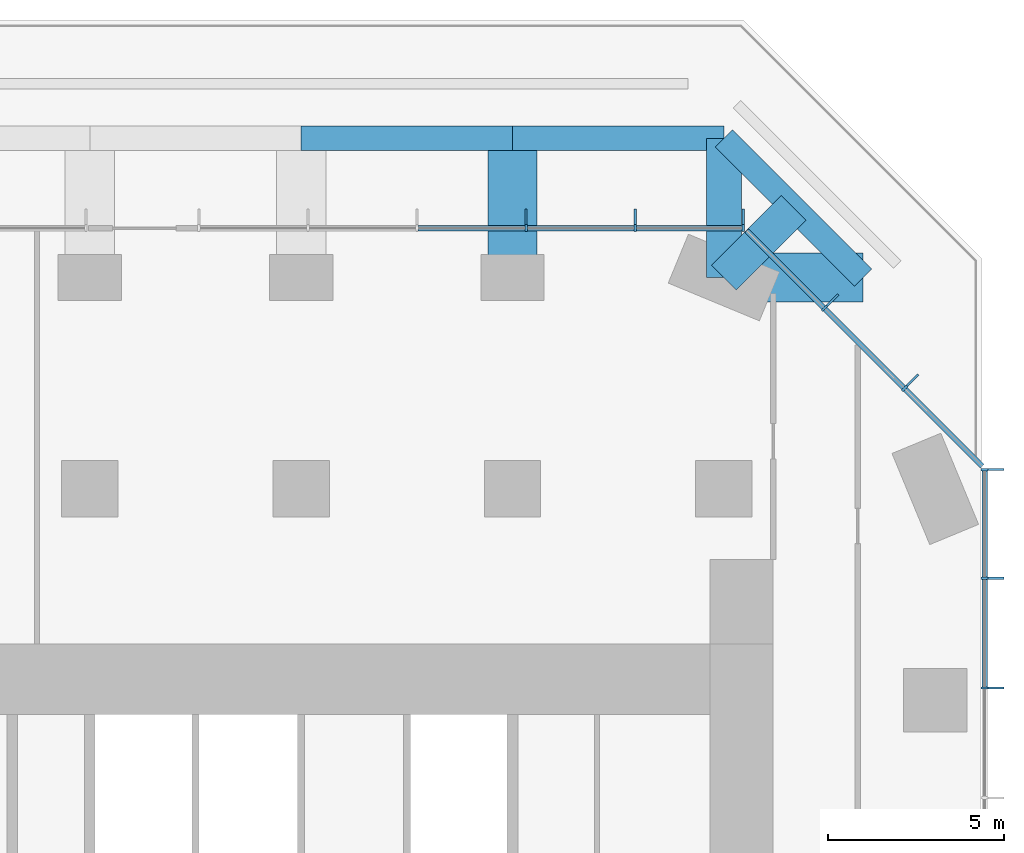
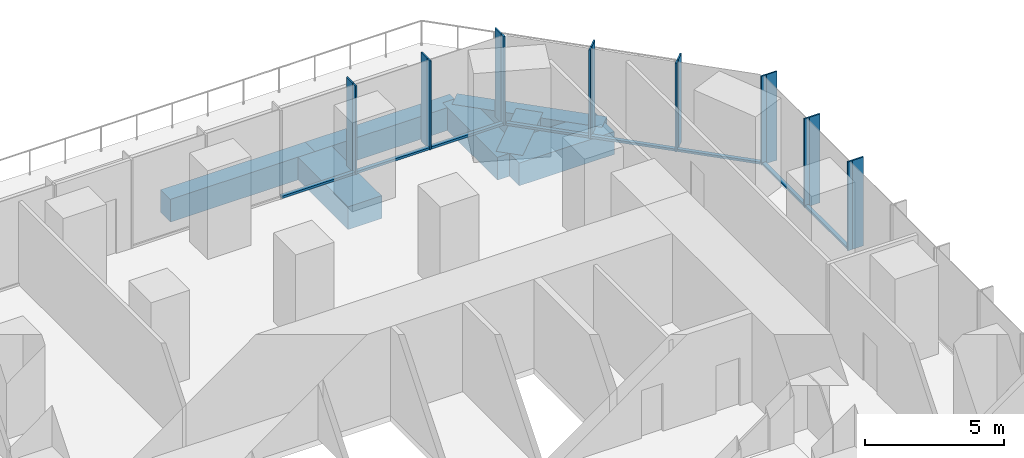
# One storey, part 6 of 11: 24 members, 7 beams, 3 elements without a shape of their own.
"""IFC4 building model written with IfcOpenShell, lengths in metres."""

from ifc_helpers import new_model, si_unit, direction, frame, origin, origin_2d, place, context, subcontext, project, spatial, rectangle, extrude, material, layer, layer_set, material_profile, profile_set, type_object, element, aggregate, save


model = new_model("IFC4")

# Units and contexts
model_context = context("Model", 3, precision=1e-05, world=origin(), true_north=direction((0.0, 1.0)))
body_context = subcontext(model_context, "Body", "Model", "MODEL_VIEW")
ifc_project = project(units=[si_unit("LENGTHUNIT", "METRE"), si_unit("AREAUNIT", "SQUARE_METRE"), si_unit("VOLUMEUNIT", "CUBIC_METRE"), si_unit("PLANEANGLEUNIT", "RADIAN"), si_unit("MASSUNIT", "GRAM", prefix="KILO")], contexts=[model_context])

# Site, building, storey
site_placement = place(None, origin())
site = spatial("IfcSite", under=ifc_project, at=site_placement, CompositionType="ELEMENT")
building_placement = place(site_placement, origin())
building = spatial("IfcBuilding", under=site, at=building_placement, Name="Highveld Stack Headquarters", CompositionType="ELEMENT")
storey_placement = place(building_placement, frame((0.0, 0.0, 117.199951171875)))
storey = spatial("IfcBuildingStorey", under=building, at=storey_placement, Name="L28", CompositionType="ELEMENT", Elevation=117.199951171875)

# Beams
ifc_material_1 = material(Name="Concrete C60/75", Category="concrete")
ifc_material_profile_1 = material_profile(ifc_material_1, rectangle(XDim=1.0, YDim=1.0, at=origin_2d()), Name="RC 1000x1000")
ifc_profile_set_1 = profile_set([ifc_material_profile_1], Name="Concrete C60/75")
beam_type_1 = type_object("IfcBeamType", Name="CANTILEVER RIB RC 1000x1000", PredefinedType="USERDEFINED", material=ifc_profile_set_1)
beam_1_placement = place(storey_placement, frame((18.0, 24.0, -0.75), z_axis=(0.0, 1.0, 0.0), x_axis=(-1.0, 0.0, 0.0)))
element("IfcBeam", 1, at=beam_1_placement, inside=storey, type_object=beam_type_1, Name="Cantilever rib 9/J L28", ObjectType="CANTILEVER RIB", PredefinedType="USERDEFINED", context=body_context, shape_type="SweptSolid", body=[
    extrude(rectangle(XDim=1.0, YDim=1.0, at=origin_2d()), origin(), (0.0, 0.0, 1.0), 3.949951171875),
])
beam_2_placement = place(storey_placement, frame((18.0, 24.0, -0.75), z_axis=(0.707106781187, 0.707106781187, 0.0), x_axis=(-0.707106781187, 0.707106781187, 0.0)))
element("IfcBeam", 2, at=beam_2_placement, inside=storey, type_object=beam_type_1, Name="Cantilever rib 9/J L28", ObjectType="CANTILEVER RIB", PredefinedType="USERDEFINED", context=body_context, shape_type="SweptSolid", body=[
    extrude(rectangle(XDim=1.0, YDim=1.0, at=origin_2d()), origin(), (0.0, 0.0, 1.0), 2.793212890625),
])
ifc_material_2 = material(Name="Concrete C60/75", Category="concrete")
ifc_material_profile_2 = material_profile(ifc_material_2, rectangle(XDim=1.39990234375, YDim=1.0, at=origin_2d()), Name="RC 1400x1000")
ifc_profile_set_2 = profile_set([ifc_material_profile_2], Name="Concrete C60/75")
beam_type_2 = type_object("IfcBeamType", Name="CANTILEVER RIB RC 1400x1000", PredefinedType="USERDEFINED", material=ifc_profile_set_2)
for number, where, z_axis, x_axis, name in (
    (3, (12.0, 24.0, -0.75), (0.0, 1.0, 0.0), (-1.0, 0.0, 0.0), "Cantilever rib 8/J L28"),
    (4, (18.0, 24.0, -0.75), (1.0, 0.0, 0.0), (0.0, 1.0, 0.0), "Cantilever rib 9/J L28"),
):
    element("IfcBeam", number, at=place(storey_placement, frame(where, z_axis=z_axis, x_axis=x_axis)), inside=storey, type_object=beam_type_2, Name=name, ObjectType="CANTILEVER RIB", PredefinedType="USERDEFINED", context=body_context, shape_type="SweptSolid", body=[
        extrude(rectangle(XDim=1.39990234375, YDim=1.0, at=origin_2d()), origin(), (0.0, 0.0, 1.0), 3.949951171875),
    ])

# Curtain wall, members
ifc_material_3 = material(Name="Aluminium bronze anodised", Category="aluminium")
ifc_layer_1 = layer(ifc_material_3, 0.199951171875)
ifc_layer_set_1 = layer_set([ifc_layer_1], Name="Aluminium bronze anodised")
curtain_wall_type_1 = type_object("IfcCurtainWallType", Name="CW1 TOWER UNITISED CURTAIN WALL", PredefinedType="NOTDEFINED", material=ifc_layer_set_1)
curtain_wall_1_placement = place(storey_placement, origin())
curtain_wall_1 = element("IfcCurtainWall", 5, at=curtain_wall_1_placement, inside=storey, type_object=curtain_wall_type_1, Name="Curtain wall CW1 L28 E", PredefinedType="NOTDEFINED")
ifc_material_4 = material(Name="Aluminium bronze anodised", Category="aluminium")
ifc_material_profile_3 = material_profile(ifc_material_4, rectangle(XDim=0.449951171875, YDim=0.06005859375, at=origin_2d()), Name="FIN 450x60")
ifc_profile_set_3 = profile_set([ifc_material_profile_3], Name="Aluminium bronze anodised")
member_type_1 = type_object("IfcMemberType", Name="CW1 BRONZE FIN 450x60", PredefinedType="USERDEFINED", material=ifc_profile_set_3)
member_1_placement = place(storey_placement, frame((25.72509765625, 12.347900390625, 0.0), z_axis=(0.0, 0.0, 1.0), x_axis=(-1.0, 0.0, 0.0)))
member_1 = element("IfcMember", 6, at=member_1_placement, type_object=member_type_1, Name="CW1 fin L28 9", ObjectType="FIN", PredefinedType="USERDEFINED", context=body_context, shape_type="SweptSolid", body=[
    extrude(rectangle(XDim=0.449951171875, YDim=0.06005859375, at=origin_2d()), origin(), (0.0, 0.0, 1.0), 3.900146484375),
])
member_2_placement = place(storey_placement, frame((25.72509765625, 15.4638671875, 0.0), z_axis=(0.0, 0.0, 1.0), x_axis=(-1.0, 0.0, 0.0)))
member_2 = element("IfcMember", 7, at=member_2_placement, type_object=member_type_1, Name="CW1 fin L28 10", ObjectType="FIN", PredefinedType="USERDEFINED", context=body_context, shape_type="SweptSolid", body=[
    extrude(rectangle(XDim=0.449951171875, YDim=0.06005859375, at=origin_2d()), origin(), (0.0, 0.0, 1.0), 3.900146484375),
])
member_3_placement = place(storey_placement, frame((25.72509765625, 18.54736328125, 0.0), z_axis=(0.0, 0.0, 1.0), x_axis=(-1.0, 0.0, 0.0)))
member_3 = element("IfcMember", 8, at=member_3_placement, type_object=member_type_1, Name="CW1 fin L28 11", ObjectType="FIN", PredefinedType="USERDEFINED", context=body_context, shape_type="SweptSolid", body=[
    extrude(rectangle(XDim=0.449951171875, YDim=0.06005859375, at=origin_2d()), origin(), (0.0, 0.0, 1.0), 3.900146484375),
])

curtain_wall_2_placement = place(storey_placement, origin())
curtain_wall_2 = element("IfcCurtainWall", 9, at=curtain_wall_2_placement, inside=storey, type_object=curtain_wall_type_1, Name="Curtain wall CW1 L28 N-1", PredefinedType="NOTDEFINED")
member_4_placement = place(storey_placement, frame((18.54736328125, 25.72509765625, 0.0), z_axis=(0.0, 0.0, 1.0), x_axis=(0.0, -1.0, 0.0)))
member_4 = element("IfcMember", 10, at=member_4_placement, type_object=member_type_1, Name="CW1 fin L28 1", ObjectType="FIN", PredefinedType="USERDEFINED", context=body_context, shape_type="SweptSolid", body=[
    extrude(rectangle(XDim=0.449951171875, YDim=0.06005859375, at=origin_2d()), origin(), (0.0, 0.0, 1.0), 3.900146484375),
])
member_5_placement = place(storey_placement, frame((15.483154296875, 25.72509765625, 0.0), z_axis=(0.0, 0.0, 1.0), x_axis=(0.0, -1.0, 0.0)))
member_5 = element("IfcMember", 11, at=member_5_placement, type_object=member_type_1, Name="CW1 fin L28 2", ObjectType="FIN", PredefinedType="USERDEFINED", context=body_context, shape_type="SweptSolid", body=[
    extrude(rectangle(XDim=0.449951171875, YDim=0.06005859375, at=origin_2d()), origin(), (0.0, 0.0, 1.0), 3.900146484375),
])
member_6_placement = place(storey_placement, frame((12.38671875, 25.72509765625, 0.0), z_axis=(0.0, 0.0, 1.0), x_axis=(0.0, -1.0, 0.0)))
member_6 = element("IfcMember", 12, at=member_6_placement, type_object=member_type_1, Name="CW1 fin L28 3", ObjectType="FIN", PredefinedType="USERDEFINED", context=body_context, shape_type="SweptSolid", body=[
    extrude(rectangle(XDim=0.449951171875, YDim=0.06005859375, at=origin_2d()), origin(), (0.0, 0.0, 1.0), 3.900146484375),
])

# Member
ifc_material_5 = material(Name="Aluminium bronze anodised", Category="aluminium")
ifc_material_profile_4 = material_profile(ifc_material_5, rectangle(XDim=0.199951171875, YDim=0.06494140625, at=origin_2d()), Name="CW1 MULLION 65x200")
ifc_profile_set_4 = profile_set([ifc_material_profile_4], Name="Aluminium bronze anodised")
member_type_2 = type_object("IfcMemberType", Name="CW1 MULLION 65x200", PredefinedType="MULLION", material=ifc_profile_set_4)
member_7_placement = place(storey_placement, frame((25.39990234375, 12.347900390625, 0.0), z_axis=(0.0, 0.0, 1.0), x_axis=(-1.0, 0.0, 0.0)))
member_7 = element("IfcMember", 13, at=member_7_placement, type_object=member_type_2, Name="CW1 mullion L28 9", PredefinedType="MULLION", context=body_context, shape_type="SweptSolid", body=[
    extrude(rectangle(XDim=0.199951171875, YDim=0.06494140625, at=origin_2d()), origin(), (0.0, 0.0, 1.0), 3.900146484375),
])

member_8_placement = place(storey_placement, frame((25.39990234375, 15.4638671875, 0.0), z_axis=(0.0, 0.0, 1.0), x_axis=(-1.0, 0.0, 0.0)))
member_8 = element("IfcMember", 14, at=member_8_placement, type_object=member_type_2, Name="CW1 mullion L28 10", PredefinedType="MULLION", context=body_context, shape_type="SweptSolid", body=[
    extrude(rectangle(XDim=0.199951171875, YDim=0.06494140625, at=origin_2d()), origin(), (0.0, 0.0, 1.0), 3.900146484375),
])

member_9_placement = place(storey_placement, frame((25.39990234375, 18.54736328125, 0.0), z_axis=(0.0, 0.0, 1.0), x_axis=(-1.0, 0.0, 0.0)))
member_9 = element("IfcMember", 15, at=member_9_placement, type_object=member_type_2, Name="CW1 mullion L28 11", PredefinedType="MULLION", context=body_context, shape_type="SweptSolid", body=[
    extrude(rectangle(XDim=0.199951171875, YDim=0.06494140625, at=origin_2d()), origin(), (0.0, 0.0, 1.0), 3.900146484375),
])

member_10_placement = place(storey_placement, frame((18.54736328125, 25.39990234375, 0.0), z_axis=(0.0, 0.0, 1.0), x_axis=(0.0, -1.0, 0.0)))
member_10 = element("IfcMember", 16, at=member_10_placement, type_object=member_type_2, Name="CW1 mullion L28 1", PredefinedType="MULLION", context=body_context, shape_type="SweptSolid", body=[
    extrude(rectangle(XDim=0.199951171875, YDim=0.06494140625, at=origin_2d()), origin(), (0.0, 0.0, 1.0), 3.900146484375),
])

member_11_placement = place(storey_placement, frame((15.483154296875, 25.39990234375, 0.0), z_axis=(0.0, 0.0, 1.0), x_axis=(0.0, -1.0, 0.0)))
member_11 = element("IfcMember", 17, at=member_11_placement, type_object=member_type_2, Name="CW1 mullion L28 2", PredefinedType="MULLION", context=body_context, shape_type="SweptSolid", body=[
    extrude(rectangle(XDim=0.199951171875, YDim=0.06494140625, at=origin_2d()), origin(), (0.0, 0.0, 1.0), 3.900146484375),
])

member_12_placement = place(storey_placement, frame((12.38671875, 25.39990234375, 0.0), z_axis=(0.0, 0.0, 1.0), x_axis=(0.0, -1.0, 0.0)))
member_12 = element("IfcMember", 18, at=member_12_placement, type_object=member_type_2, Name="CW1 mullion L28 3", PredefinedType="MULLION", context=body_context, shape_type="SweptSolid", body=[
    extrude(rectangle(XDim=0.199951171875, YDim=0.06494140625, at=origin_2d()), origin(), (0.0, 0.0, 1.0), 3.900146484375),
])

ifc_material_6 = material(Name="Aluminium bronze anodised", Category="aluminium")
ifc_material_profile_5 = material_profile(ifc_material_6, rectangle(XDim=0.14990234375, YDim=0.10009765625, at=origin_2d()), Name="CW1 TRANSOM 150x100")
ifc_profile_set_5 = profile_set([ifc_material_profile_5], Name="Aluminium bronze anodised")
member_type_3 = type_object("IfcMemberType", Name="CW1 STACK TRANSOM 150x100", PredefinedType="USERDEFINED", material=ifc_profile_set_5)
member_13_placement = place(storey_placement, frame((25.39990234375, 12.38037109375, 0.050048828125), z_axis=(0.0, 1.0, 0.0), x_axis=(-1.0, 0.0, 0.0)))
member_13 = element("IfcMember", 19, at=member_13_placement, type_object=member_type_3, Name="CW1 transom L28 9.1", ObjectType="TRANSOM", PredefinedType="USERDEFINED", context=body_context, shape_type="SweptSolid", body=[
    extrude(rectangle(XDim=0.14990234375, YDim=0.10009765625, at=origin_2d()), origin(), (0.0, 0.0, 1.0), 3.051025390625),
])

member_14_placement = place(storey_placement, frame((25.39990234375, 15.496337890625, 0.050048828125), z_axis=(0.0, 1.0, 0.0), x_axis=(-1.0, 0.0, 0.0)))
member_14 = element("IfcMember", 20, at=member_14_placement, type_object=member_type_3, Name="CW1 transom L28 10.1", ObjectType="TRANSOM", PredefinedType="USERDEFINED", context=body_context, shape_type="SweptSolid", body=[
    extrude(rectangle(XDim=0.14990234375, YDim=0.10009765625, at=origin_2d()), origin(), (0.0, 0.0, 1.0), 3.0185546875),
])

aggregate(curtain_wall_1, [member_7, member_1, member_8, member_2, member_9, member_3, member_13, member_14])

member_15_placement = place(storey_placement, frame((18.514892578125, 25.39990234375, 0.050048828125), z_axis=(-1.0, 0.0, 0.0), x_axis=(0.0, -1.0, 0.0)))
member_15 = element("IfcMember", 21, at=member_15_placement, type_object=member_type_3, Name="CW1 transom L28 1.1", ObjectType="TRANSOM", PredefinedType="USERDEFINED", context=body_context, shape_type="SweptSolid", body=[
    extrude(rectangle(XDim=0.14990234375, YDim=0.10009765625, at=origin_2d()), origin(), (0.0, 0.0, 1.0), 2.999267578125),
])

member_16_placement = place(storey_placement, frame((15.45068359375, 25.39990234375, 0.050048828125), z_axis=(-1.0, 0.0, 0.0), x_axis=(0.0, -1.0, 0.0)))
member_16 = element("IfcMember", 22, at=member_16_placement, type_object=member_type_3, Name="CW1 transom L28 2.1", ObjectType="TRANSOM", PredefinedType="USERDEFINED", context=body_context, shape_type="SweptSolid", body=[
    extrude(rectangle(XDim=0.14990234375, YDim=0.10009765625, at=origin_2d()), origin(), (0.0, 0.0, 1.0), 3.031494140625),
])

member_17_placement = place(storey_placement, frame((12.35400390625, 25.39990234375, 0.050048828125), z_axis=(-1.0, 0.0, 0.0), x_axis=(0.0, -1.0, 0.0)))
member_17 = element("IfcMember", 23, at=member_17_placement, type_object=member_type_3, Name="CW1 transom L28 3.1", ObjectType="TRANSOM", PredefinedType="USERDEFINED", context=body_context, shape_type="SweptSolid", body=[
    extrude(rectangle(XDim=0.14990234375, YDim=0.10009765625, at=origin_2d()), origin(), (0.0, 0.0, 1.0), 3.031494140625),
])

aggregate(curtain_wall_2, [member_10, member_4, member_11, member_5, member_12, member_6, member_15, member_16, member_17])

# Curtain wall, members
ifc_material_7 = material(Name="Aluminium bronze anodised", Category="aluminium")
ifc_layer_2 = layer(ifc_material_7, 0.199951171875)
ifc_layer_set_2 = layer_set([ifc_layer_2], Name="Aluminium bronze anodised")
curtain_wall_type_2 = type_object("IfcCurtainWallType", Name="CW2 TOWER CHAMFER UNITISED CURTAIN WALL", PredefinedType="NOTDEFINED", material=ifc_layer_set_2)
curtain_wall_3_placement = place(storey_placement, origin())
curtain_wall_3 = element("IfcCurtainWall", 24, at=curtain_wall_3_placement, inside=storey, type_object=curtain_wall_type_2, Name="Curtain wall CW2 L28 NE", PredefinedType="NOTDEFINED")
ifc_material_8 = material(Name="Aluminium bronze anodised", Category="aluminium")
ifc_material_profile_6 = material_profile(ifc_material_8, rectangle(XDim=0.449951171875, YDim=0.06005859375, at=origin_2d()), Name="FIN 450x60")
ifc_profile_set_6 = profile_set([ifc_material_profile_6], Name="Aluminium bronze anodised")
member_type_4 = type_object("IfcMemberType", Name="CW2 BRONZE FIN 450x60", PredefinedType="USERDEFINED", material=ifc_profile_set_6)
member_18_placement = place(storey_placement, frame((23.3564453125, 21.0830078125, 0.0), z_axis=(0.0, 0.0, 1.0), x_axis=(-0.707106781187, -0.707106781187, 0.0)))
member_18 = element("IfcMember", 25, at=member_18_placement, type_object=member_type_4, Name="CW2 fin L28 1", ObjectType="FIN", PredefinedType="USERDEFINED", context=body_context, shape_type="SweptSolid", body=[
    extrude(rectangle(XDim=0.449951171875, YDim=0.06005859375, at=origin_2d()), origin(), (0.0, 0.0, 1.0), 3.900146484375),
])
member_19_placement = place(storey_placement, frame((21.0830078125, 23.3564453125, 0.0), z_axis=(0.0, 0.0, 1.0), x_axis=(-0.707106781187, -0.707106781187, 0.0)))
member_19 = element("IfcMember", 26, at=member_19_placement, type_object=member_type_4, Name="CW2 fin L28 2", ObjectType="FIN", PredefinedType="USERDEFINED", context=body_context, shape_type="SweptSolid", body=[
    extrude(rectangle(XDim=0.449951171875, YDim=0.06005859375, at=origin_2d()), origin(), (0.0, 0.0, 1.0), 3.900146484375),
])
ifc_material_9 = material(Name="Aluminium bronze anodised", Category="aluminium")
ifc_material_profile_7 = material_profile(ifc_material_9, rectangle(XDim=0.199951171875, YDim=0.06494140625, at=origin_2d()), Name="CW2 MULLION 65x200")
ifc_profile_set_7 = profile_set([ifc_material_profile_7], Name="Aluminium bronze anodised")
member_type_5 = type_object("IfcMemberType", Name="CW2 MULLION 65x200", PredefinedType="MULLION", material=ifc_profile_set_7)
member_20_placement = place(storey_placement, frame((23.126708984375, 20.853271484375, 0.0), z_axis=(0.0, 0.0, 1.0), x_axis=(-0.707106781187, -0.707106781187, 0.0)))
member_20 = element("IfcMember", 27, at=member_20_placement, type_object=member_type_5, Name="CW2 mullion L28 1", PredefinedType="MULLION", context=body_context, shape_type="SweptSolid", body=[
    extrude(rectangle(XDim=0.199951171875, YDim=0.06494140625, at=origin_2d()), origin(), (0.0, 0.0, 1.0), 3.900146484375),
])
member_21_placement = place(storey_placement, frame((20.853271484375, 23.126708984375, 0.0), z_axis=(0.0, 0.0, 1.0), x_axis=(-0.707106781187, -0.707106781187, 0.0)))
member_21 = element("IfcMember", 28, at=member_21_placement, type_object=member_type_5, Name="CW2 mullion L28 2", PredefinedType="MULLION", context=body_context, shape_type="SweptSolid", body=[
    extrude(rectangle(XDim=0.199951171875, YDim=0.06494140625, at=origin_2d()), origin(), (0.0, 0.0, 1.0), 3.900146484375),
])
ifc_material_10 = material(Name="Aluminium bronze anodised", Category="aluminium")
ifc_material_profile_8 = material_profile(ifc_material_10, rectangle(XDim=0.14990234375, YDim=0.10009765625, at=origin_2d()), Name="CW2 TRANSOM 150x100")
ifc_profile_set_8 = profile_set([ifc_material_profile_8], Name="Aluminium bronze anodised")
member_type_6 = type_object("IfcMemberType", Name="CW2 STACK TRANSOM 150x100", PredefinedType="USERDEFINED", material=ifc_profile_set_8)
member_22_placement = place(storey_placement, frame((25.329345703125, 18.650634765625, 0.050048828125), z_axis=(-0.707106781187, 0.707106781187, 0.0), x_axis=(-0.707106781187, -0.707106781187, 0.0)))
member_22 = element("IfcMember", 29, at=member_22_placement, type_object=member_type_6, Name="CW2 transom L28 1.1", ObjectType="TRANSOM", PredefinedType="USERDEFINED", context=body_context, shape_type="SweptSolid", body=[
    extrude(rectangle(XDim=0.14990234375, YDim=0.10009765625, at=origin_2d()), origin(), (0.0, 0.0, 1.0), 3.08251953125),
])
member_23_placement = place(storey_placement, frame((23.103759765625, 20.876220703125, 0.050048828125), z_axis=(-0.707106781187, 0.707106781187, 0.0), x_axis=(-0.707106781187, -0.707106781187, 0.0)))
member_23 = element("IfcMember", 30, at=member_23_placement, type_object=member_type_6, Name="CW2 transom L28 2.1", ObjectType="TRANSOM", PredefinedType="USERDEFINED", context=body_context, shape_type="SweptSolid", body=[
    extrude(rectangle(XDim=0.14990234375, YDim=0.10009765625, at=origin_2d()), origin(), (0.0, 0.0, 1.0), 3.150146484375),
])
member_24_placement = place(storey_placement, frame((20.830322265625, 23.149658203125, 0.050048828125), z_axis=(-0.707106781187, 0.707106781187, 0.0), x_axis=(-0.707106781187, -0.707106781187, 0.0)))
member_24 = element("IfcMember", 31, at=member_24_placement, type_object=member_type_6, Name="CW2 transom L28 3.1", ObjectType="TRANSOM", PredefinedType="USERDEFINED", context=body_context, shape_type="SweptSolid", body=[
    extrude(rectangle(XDim=0.14990234375, YDim=0.10009765625, at=origin_2d()), origin(), (0.0, 0.0, 1.0), 3.08251953125),
])
aggregate(curtain_wall_3, [member_20, member_18, member_21, member_19, member_22, member_23, member_24])

# Beams
ifc_material_11 = material(Name="Concrete C60/75", Category="concrete")
ifc_material_profile_9 = material_profile(ifc_material_11, rectangle(XDim=0.699951171875, YDim=1.0, at=origin_2d()), Name="RC 700x1000")
ifc_profile_set_9 = profile_set([ifc_material_profile_9], Name="Concrete C60/75")
beam_type_3 = type_object("IfcBeamType", Name="RIB TIP BEAM RC 700x1000", PredefinedType="SPANDREL", material=ifc_profile_set_9)
for number, where, z_axis, x_axis, name in (
    (32, (6.0, 27.949951171875, -0.75), (1.0, 0.0, 0.0), (0.0, 1.0, 0.0), "Rib tip beam 7/J to 8/J L28"),
    (33, (12.0, 27.949951171875, -0.75), (1.0, 0.0, 0.0), (0.0, 1.0, 0.0), "Rib tip beam 8/J to 9/J L28"),
):
    element("IfcBeam", number, at=place(storey_placement, frame(where, z_axis=z_axis, x_axis=x_axis)), inside=storey, type_object=beam_type_3, Name=name, PredefinedType="SPANDREL", context=body_context, shape_type="SweptSolid", body=[
        extrude(rectangle(XDim=0.699951171875, YDim=1.0, at=origin_2d()), origin(), (0.0, 0.0, 1.0), 6.0),
    ])
beam_3_placement = place(storey_placement, frame((21.949951171875, 24.0, -0.75), z_axis=(-0.707106781187, 0.707106781187, 0.0), x_axis=(-0.707106781187, -0.707106781187, 0.0)))
element("IfcBeam", 34, at=beam_3_placement, inside=storey, type_object=beam_type_3, Name="Rib tip beam 9/J corner L28", PredefinedType="SPANDREL", context=body_context, shape_type="SweptSolid", body=[
    extrude(rectangle(XDim=0.699951171875, YDim=1.0, at=origin_2d()), origin(), (0.0, 0.0, 1.0), 5.586181640625),
])

save(model, "model.ifc")
